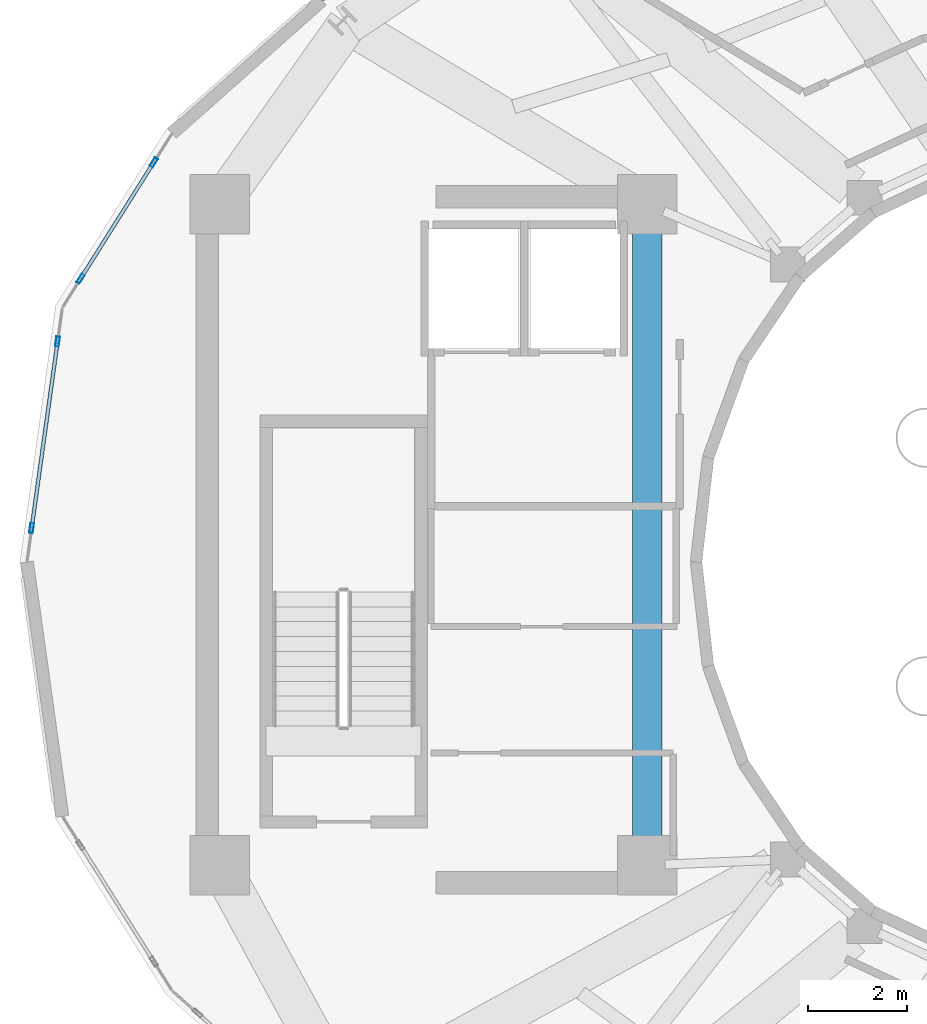
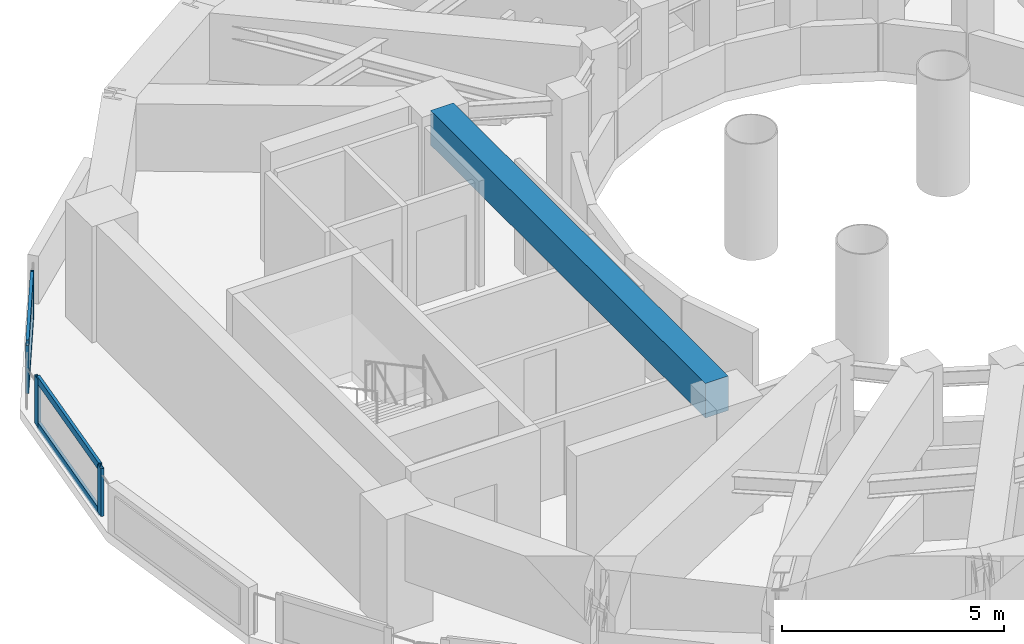
# One storey, part 7 of 18: 8 members, 1 beam, 2 elements without a shape of their own.
"""IFC4 building model written with IfcOpenShell, lengths in metres."""

from ifc_helpers import new_model, si_unit, direction, frame, origin, origin_2d, place, context, subcontext, project, spatial, rectangle, hollow_rectangle, extrude, material, layer, layer_set, material_profile, profile_set, type_object, element, aggregate, save


model = new_model("IFC4")

# Units and contexts
model_context = context("Model", 3, precision=1e-05, world=origin(), true_north=direction((0.0, 1.0)))
body_context = subcontext(model_context, "Body", "Model", "MODEL_VIEW")
ifc_project = project(units=[si_unit("LENGTHUNIT", "METRE"), si_unit("AREAUNIT", "SQUARE_METRE"), si_unit("VOLUMEUNIT", "CUBIC_METRE"), si_unit("PLANEANGLEUNIT", "RADIAN"), si_unit("MASSUNIT", "GRAM", prefix="KILO")], contexts=[model_context])

# Site, building, storey
site_placement = place(None, origin())
site = spatial("IfcSite", under=ifc_project, at=site_placement, CompositionType="ELEMENT")
building_placement = place(site_placement, origin())
building = spatial("IfcBuilding", under=site, at=building_placement, Name="Solvane Sanctuary Tower", CompositionType="ELEMENT")
storey_placement = place(building_placement, frame((0.0, 0.0, 266.800048828125)))
storey = spatial("IfcBuildingStorey", under=building, at=storey_placement, Name="L81", CompositionType="ELEMENT", Elevation=266.800048828125)

# Beam
ifc_material_1 = material(Name="Concrete C70/85", Category="concrete")
ifc_material_profile_1 = material_profile(ifc_material_1, rectangle(XDim=0.60009765625, YDim=0.949951171875, at=origin_2d()), Name="RC600X950")
ifc_profile_set_1 = profile_set([ifc_material_profile_1], Name="Concrete C70/85")
beam_type = type_object("IfcBeamType", Name="Beam B-COUPLE RC600X950", PredefinedType="LINTEL", material=ifc_profile_set_1)
beam_placement = place(storey_placement, frame((23.89990234375, 17.35009765625, 2.724853515625), z_axis=(0.0, 1.0, 0.0), x_axis=(-1.0, 0.0, 0.0)))
element("IfcBeam", 1, at=beam_placement, inside=storey, type_object=beam_type, Name="L81 West Core Coupling Lintel", PredefinedType="LINTEL", context=body_context, shape_type="SweptSolid", body=[
    extrude(rectangle(XDim=0.60009765625, YDim=0.949951171875, at=origin_2d()), origin(), (0.0, 0.0, 1.0), 12.39990234375),
])

# Curtain wall, members
ifc_material_2 = material(Name="Anodised Aluminium 6063-T6", Category="aluminium")
ifc_layer = layer(ifc_material_2, 0.219970703125, Name="Anodised Aluminium 6063-T6")
ifc_layer_set = layer_set([ifc_layer], Name="Anodised Aluminium 6063-T6")
curtain_wall_type = type_object("IfcCurtainWallType", Name="Curtain Wall CW-CROWN", PredefinedType="NOTDEFINED", material=ifc_layer_set)
curtain_wall_1_placement = place(storey_placement, origin())
curtain_wall_1 = element("IfcCurtainWall", 2, at=curtain_wall_1_placement, inside=storey, type_object=curtain_wall_type, Name="L81 Crown Fritted Lantern Curtain Wall 10", PredefinedType="NOTDEFINED")
ifc_material_profile_2 = material_profile(ifc_material_2, hollow_rectangle(XDim=0.074951171875, YDim=0.199951171875, WallThickness=0.00390625, at=origin_2d()), Name="ALU200X75X4")
ifc_profile_set_2 = profile_set([ifc_material_profile_2], Name="Anodised Aluminium 6063-T6")
member_type_1 = type_object("IfcMemberType", Name="Member M-CW-MUL-1 ALU200X75X4", PredefinedType="MULLION", material=ifc_profile_set_2)
member_1_placement = place(storey_placement, frame((13.971435546875, 31.0400390625, 0.0), z_axis=(0.0, 0.0, 1.0), x_axis=(0.846332102963, -0.532655584308, 0.0)))
member_1 = element("IfcMember", 3, at=member_1_placement, type_object=member_type_1, Name="CW-CROWN mullion 1", PredefinedType="MULLION", context=body_context, shape_type="SweptSolid", body=[
    extrude(hollow_rectangle(XDim=0.074951171875, YDim=0.199951171875, WallThickness=0.00390625, at=origin_2d()), origin(), (0.0, 0.0, 1.0), 1.320068359375),
])
member_2_placement = place(storey_placement, frame((12.497314453125, 28.697509765625, 0.0), z_axis=(0.0, 0.0, 1.0), x_axis=(0.846332102963, -0.532655584308, 0.0)))
member_2 = element("IfcMember", 4, at=member_2_placement, type_object=member_type_1, Name="CW-CROWN mullion 2", PredefinedType="MULLION", context=body_context, shape_type="SweptSolid", body=[
    extrude(hollow_rectangle(XDim=0.074951171875, YDim=0.199951171875, WallThickness=0.00390625, at=origin_2d()), origin(), (0.0, 0.0, 1.0), 1.320068359375),
])

curtain_wall_2_placement = place(storey_placement, origin())
curtain_wall_2 = element("IfcCurtainWall", 5, at=curtain_wall_2_placement, inside=storey, type_object=curtain_wall_type, Name="L81 Crown Fritted Lantern Curtain Wall 11", PredefinedType="NOTDEFINED")
member_3_placement = place(storey_placement, frame((12.036376953125, 27.434814453125, 0.0), z_axis=(0.0, 0.0, 1.0), x_axis=(0.990477479591, -0.137674843105, 0.0)))
member_3 = element("IfcMember", 6, at=member_3_placement, type_object=member_type_1, Name="CW-CROWN mullion 1", PredefinedType="MULLION", context=body_context, shape_type="SweptSolid", body=[
    extrude(hollow_rectangle(XDim=0.074951171875, YDim=0.199951171875, WallThickness=0.00390625, at=origin_2d()), origin(), (0.0, 0.0, 1.0), 1.320068359375),
])
member_4_placement = place(storey_placement, frame((11.5146484375, 23.680908203125, 0.0), z_axis=(0.0, 0.0, 1.0), x_axis=(0.990477479591, -0.137674843105, 0.0)))
member_4 = element("IfcMember", 7, at=member_4_placement, type_object=member_type_1, Name="CW-CROWN mullion 2", PredefinedType="MULLION", context=body_context, shape_type="SweptSolid", body=[
    extrude(hollow_rectangle(XDim=0.074951171875, YDim=0.199951171875, WallThickness=0.00390625, at=origin_2d()), origin(), (0.0, 0.0, 1.0), 1.320068359375),
])

# Member
ifc_material_profile_3 = material_profile(ifc_material_2, hollow_rectangle(XDim=0.074951171875, YDim=0.199951171875, WallThickness=0.00390625, at=origin_2d()), Name="ALU200X75X4")
ifc_profile_set_3 = profile_set([ifc_material_profile_3], Name="Anodised Aluminium 6063-T6")
member_type_2 = type_object("IfcMemberType", Name="Member M-CW-TRN-2 ALU200X75X4", PredefinedType="USERDEFINED", material=ifc_profile_set_3)
member_5_placement = place(storey_placement, frame((13.95166015625, 31.00830078125, 0.037353515625), z_axis=(-0.532644935954, -0.846338804618, 0.0), x_axis=(0.846338804618, -0.532644935954, 0.0)))
member_5 = element("IfcMember", 8, at=member_5_placement, type_object=member_type_2, Name="CW-CROWN transom 1.1", ObjectType="TRANSOM", PredefinedType="USERDEFINED", context=body_context, shape_type="SweptSolid", body=[
    extrude(hollow_rectangle(XDim=0.074951171875, YDim=0.199951171875, WallThickness=0.00390625, at=origin_2d()), origin(), (0.0, 0.0, 1.0), 2.69287109375),
])

member_6_placement = place(storey_placement, frame((13.95166015625, 31.00830078125, 1.282470703125), z_axis=(-0.532644935954, -0.846338804618, 0.0), x_axis=(0.846338804618, -0.532644935954, 0.0)))
member_6 = element("IfcMember", 9, at=member_6_placement, type_object=member_type_2, Name="CW-CROWN transom 1.2", ObjectType="TRANSOM", PredefinedType="USERDEFINED", context=body_context, shape_type="SweptSolid", body=[
    extrude(hollow_rectangle(XDim=0.074951171875, YDim=0.199951171875, WallThickness=0.00390625, at=origin_2d()), origin(), (0.0, 0.0, 1.0), 2.69287109375),
])

aggregate(curtain_wall_1, [member_1, member_2, member_5, member_6])

member_7_placement = place(storey_placement, frame((12.03125, 27.397705078125, 0.037353515625), z_axis=(-0.137675824962, -0.990477343113, 0.0), x_axis=(0.990477343113, -0.137675824962, 0.0)))
member_7 = element("IfcMember", 10, at=member_7_placement, type_object=member_type_2, Name="CW-CROWN transom 1.1", ObjectType="TRANSOM", PredefinedType="USERDEFINED", context=body_context, shape_type="SweptSolid", body=[
    extrude(hollow_rectangle(XDim=0.074951171875, YDim=0.199951171875, WallThickness=0.00390625, at=origin_2d()), origin(), (0.0, 0.0, 1.0), 3.715087890625),
])

member_8_placement = place(storey_placement, frame((12.03125, 27.397705078125, 1.282470703125), z_axis=(-0.137675824962, -0.990477343113, 0.0), x_axis=(0.990477343113, -0.137675824962, 0.0)))
member_8 = element("IfcMember", 11, at=member_8_placement, type_object=member_type_2, Name="CW-CROWN transom 1.2", ObjectType="TRANSOM", PredefinedType="USERDEFINED", context=body_context, shape_type="SweptSolid", body=[
    extrude(hollow_rectangle(XDim=0.074951171875, YDim=0.199951171875, WallThickness=0.00390625, at=origin_2d()), origin(), (0.0, 0.0, 1.0), 3.715087890625),
])

aggregate(curtain_wall_2, [member_3, member_4, member_7, member_8])

save(model, "model.ifc")
